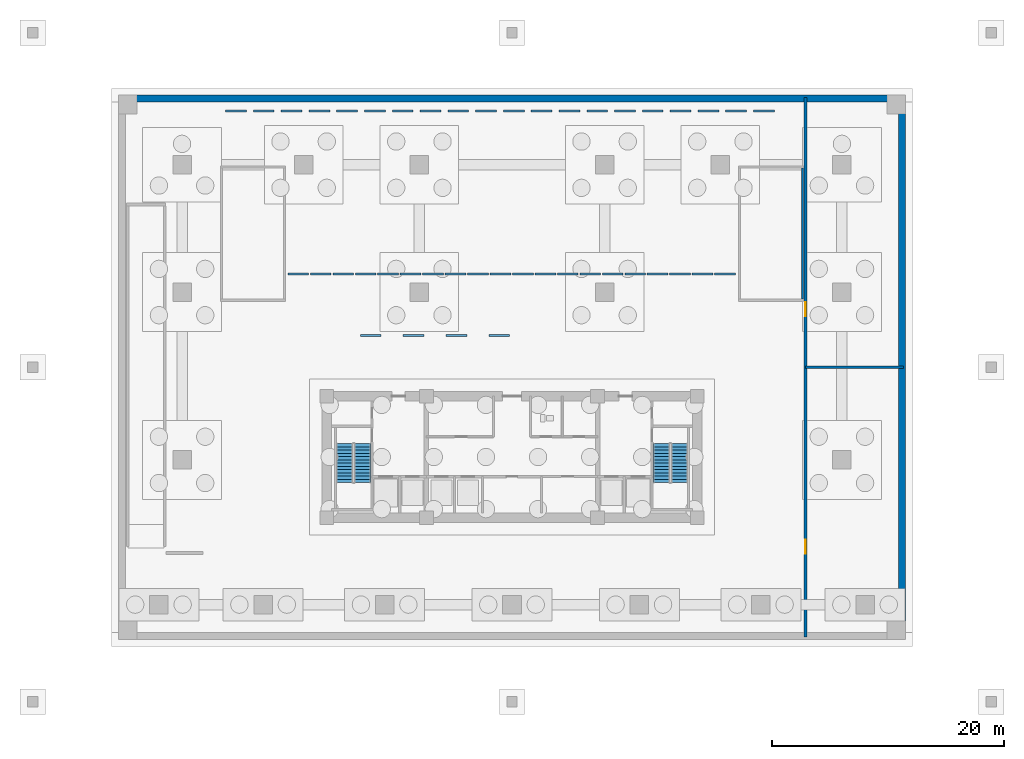
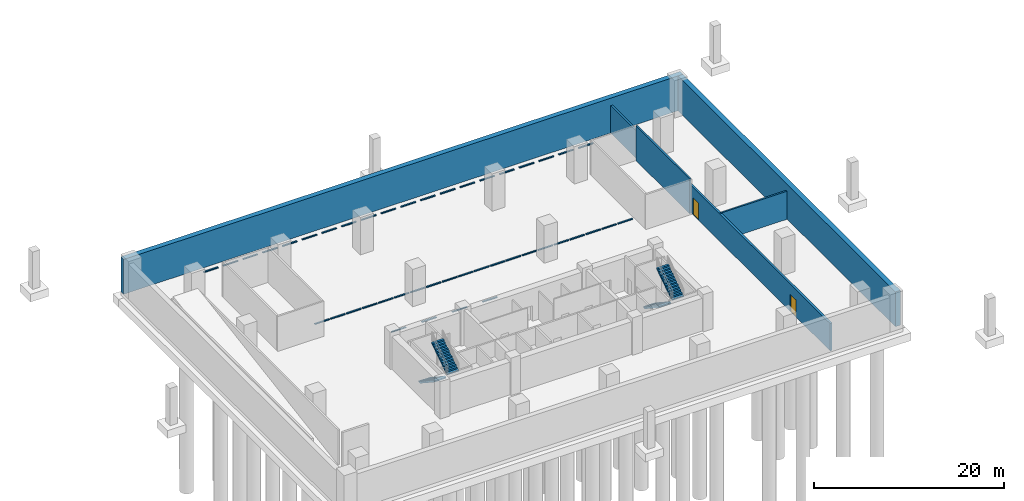
# One storey, part 5 of 8: 44 discrete accessories, 5 walls, 4 stair flights, 2 doors, 2 openings, 2 elements without a shape of their own.
"""IFC4 building model written with IfcOpenShell, lengths in metres."""

from ifc_helpers import new_model, si_unit, direction, frame, frame_2d, origin, origin_2d, place, context, subcontext, project, spatial, polyline, rectangle, outline, extrude, material, layer, layer_set, type_object, element, fill, aggregate, save


model = new_model("IFC4")

# Units and contexts
model_context = context("Model", 3, precision=1e-05, world=origin(), true_north=direction((0.0, 1.0)))
body_context = subcontext(model_context, "Body", "Model", "MODEL_VIEW")
ifc_project = project(units=[si_unit("LENGTHUNIT", "METRE"), si_unit("AREAUNIT", "SQUARE_METRE"), si_unit("VOLUMEUNIT", "CUBIC_METRE"), si_unit("PLANEANGLEUNIT", "RADIAN"), si_unit("MASSUNIT", "GRAM", prefix="KILO")], contexts=[model_context])

# Site, building, storey
site_placement = place(None, origin())
site = spatial("IfcSite", under=ifc_project, at=site_placement, CompositionType="ELEMENT")
building_placement = place(site_placement, origin())
building = spatial("IfcBuilding", under=site, at=building_placement, Name="Solmavex Isthmus Hotel", CompositionType="ELEMENT")
storey_placement = place(building_placement, frame((0.0, 0.0, -10.0)))
storey = spatial("IfcBuildingStorey", under=building, at=storey_placement, Name="B02", CompositionType="ELEMENT", Elevation=-10.0)

# Wall, openings, doors
ifc_material_1 = material(Name="Concrete C40/50", Category="concrete")
ifc_layer_1 = layer(ifc_material_1, 0.25)
ifc_layer_set_1 = layer_set([ifc_layer_1], Name="Concrete C40/50")
wall_type_1 = type_object("IfcWallType", Name="IW-PLANT-250", PredefinedType="PARTITIONING", material=ifc_layer_set_1)
wall_1_placement = place(storey_placement, frame((25.35009765625, -23.300048828125, 0.0), z_axis=(0.0, 0.0, 1.0), x_axis=(0.0, 1.0, 0.0)))
wall_1 = element("IfcWall", 1, at=wall_1_placement, inside=storey, type_object=wall_type_1, Name="Interior Partition Wall W-B02-CIST", PredefinedType="PARTITIONING", context=body_context, shape_type="SweptSolid", body=[
    extrude(rectangle(XDim=46.60009765625, YDim=0.25, at=frame_2d((23.300048828125, 0.0))), origin(), (0.0, 0.0, 1.0), 3.522216796875),
])
opening_1_placement = place(wall_1_placement, frame((7.199951171875, 0.0, 0.0)))
opening_1 = element("IfcOpeningElement", 2, at=opening_1_placement, cuts=wall_1, Name="Opening ID-F120", PredefinedType="OPENING", context=body_context, shape_type="SweptSolid", body=[
    extrude(rectangle(XDim=1.199951171875, YDim=2.199951171875, at=frame_2d((0.60009765625, 1.10009765625))), frame((0.0, 0.135009765625, 0.0), z_axis=(0.0, -1.0, 0.0), x_axis=(1.0, 0.0, 0.0)), (0.0, 0.0, 1.0), 0.27001953125),
])
opening_2_placement = place(wall_1_placement, frame((27.699951171875, 0.0, 0.0)))
opening_2 = element("IfcOpeningElement", 3, at=opening_2_placement, cuts=wall_1, Name="Opening ID-F120", PredefinedType="OPENING", context=body_context, shape_type="SweptSolid", body=[
    extrude(rectangle(XDim=1.199951171875, YDim=2.199951171875, at=frame_2d((0.60009765625, 1.10009765625))), frame((0.0, 0.135009765625, 0.0), z_axis=(0.0, -1.0, 0.0), x_axis=(1.0, 0.0, 0.0)), (0.0, 0.0, 1.0), 0.27001953125),
])
ifc_material_2 = material(Name="Steel ASTM A500 Grade C", Category="steel")
door_type = type_object("IfcDoorType", Name="IDR-FD90-1200", OperationType="NOTDEFINED", PredefinedType="DOOR", material=ifc_material_2)
door_1_placement = place(opening_1_placement, origin())
door_1 = element("IfcDoor", 4, at=door_1_placement, inside=storey, type_object=door_type, Name="Pump Room Fire Door B02", OperationType="DOUBLE_DOOR_SINGLE_SWING", OverallHeight=2.199951171875, OverallWidth=1.199951171875, PredefinedType="DOOR", context=body_context, shape_type="SweptSolid", body=[
    extrude(rectangle(XDim=1.199951171875, YDim=2.199951171875, at=frame_2d((0.60009765625, 1.10009765625))), frame((0.0, 0.02490234375, 0.0), z_axis=(0.0, -1.0, 0.0), x_axis=(1.0, 0.0, 0.0)), (0.0, 0.0, 1.0), 0.050048828125),
])
fill(opening_1, door_1)
door_2_placement = place(opening_2_placement, origin())
door_2 = element("IfcDoor", 5, at=door_2_placement, inside=storey, type_object=door_type, Name="Switchgear Fire Door B02", OperationType="DOUBLE_DOOR_SINGLE_SWING", OverallHeight=2.199951171875, OverallWidth=1.199951171875, PredefinedType="DOOR", context=body_context, shape_type="SweptSolid", body=[
    extrude(rectangle(XDim=1.199951171875, YDim=2.199951171875, at=frame_2d((0.60009765625, 1.10009765625))), frame((0.0, 0.02490234375, 0.0), z_axis=(0.0, -1.0, 0.0), x_axis=(1.0, 0.0, 0.0)), (0.0, 0.0, 1.0), 0.050048828125),
])
fill(opening_2, door_2)

# Walls
ifc_layer_2 = layer(ifc_material_1, 0.199951171875)
ifc_layer_set_2 = layer_set([ifc_layer_2], Name="Concrete C40/50")
wall_type_2 = type_object("IfcWallType", Name="IW-SHAFT-200", PredefinedType="PARTITIONING", material=ifc_layer_set_2)
wall_2_placement = place(storey_placement, frame((25.35009765625, 0.0, 0.0), z_axis=(0.0, 0.0, 1.0), x_axis=(1.0, 0.0, 0.0)))
element("IfcWall", 6, at=wall_2_placement, inside=storey, type_object=wall_type_2, Name="Interior Partition Wall W-B02-CIST-M", PredefinedType="PARTITIONING", context=body_context, shape_type="SweptSolid", body=[
    extrude(rectangle(XDim=8.449951171875, YDim=0.199951171875, at=frame_2d((4.22509765625, 0.0))), origin(), (0.0, 0.0, 1.0), 3.609619140625),
])
ifc_material_3 = material(Name="Concrete C50/60", Category="concrete")
ifc_layer_3 = layer(ifc_material_3, 0.60009765625)
ifc_layer_set_3 = layer_set([ifc_layer_3], Name="Concrete C50/60")
wall_type_3 = type_object("IfcWallType", Name="WALL-RET-600", PredefinedType="SOLIDWALL", material=ifc_layer_set_3)
wall_3_placement = place(storey_placement, frame((-34.0, 23.199951171875, 0.0), z_axis=(0.0, 0.0, 1.0), x_axis=(1.0, 0.0, 0.0)))
element("IfcWall", 7, at=wall_3_placement, inside=storey, type_object=wall_type_3, Name="Basement Retaining Wall North B02", PredefinedType="SOLIDWALL", context=body_context, shape_type="SweptSolid", body=[
    extrude(rectangle(XDim=68.0, YDim=0.60009765625, at=frame_2d((34.0, 0.0))), origin(), (0.0, 0.0, 1.0), 4.47998046875),
])
wall_4_placement = place(storey_placement, frame((33.699951171875, -22.89990234375, 0.0), z_axis=(0.0, 0.0, 1.0), x_axis=(0.0, 1.0, 0.0)))
element("IfcWall", 8, at=wall_4_placement, inside=storey, type_object=wall_type_3, Name="Basement Retaining Wall East B02", PredefinedType="SOLIDWALL", context=body_context, shape_type="SweptSolid", body=[
    extrude(rectangle(XDim=45.7998046875, YDim=0.60009765625, at=frame_2d((22.89990234375, 0.0))), origin(), (0.0, 0.0, 1.0), 4.47998046875),
])
ifc_layer_4 = layer(ifc_material_1, 0.199951171875)
ifc_layer_set_4 = layer_set([ifc_layer_4], Name="Concrete C40/50")
wall_type_4 = type_object("IfcWallType", Name="WALL-SW-200", PredefinedType="SOLIDWALL", material=ifc_layer_set_4)
wall_5_placement = place(storey_placement, frame((25.10009765625, 5.89990234375, 0.0), z_axis=(0.0, 0.0, 1.0), x_axis=(0.0, 1.0, 0.0)))
element("IfcWall", 9, at=wall_5_placement, inside=storey, type_object=wall_type_4, Name="Stairwell Structural Wall SW-B02-ST3-E", PredefinedType="SOLIDWALL", context=body_context, shape_type="SweptSolid", body=[
    extrude(rectangle(XDim=11.300048828125, YDim=0.199951171875, at=frame_2d((5.64990234375, 0.0))), origin(), (0.0, 0.0, 1.0), 4.47998046875),
])

# Stair, stair flights
stair_type_1 = type_object("IfcStairType", Name="STR-ST-1", PredefinedType="HALF_TURN_STAIR", material=ifc_material_1)
stair_1_placement = place(storey_placement, origin())
stair_1 = element("IfcStair", 10, at=stair_1_placement, inside=storey, type_object=stair_type_1, Name="B02 Protected Exit Stair ST-1", PredefinedType="HALF_TURN_STAIR")
stair_flight_type_1 = type_object("IfcStairFlightType", Name="SFL-ST-1", PredefinedType="STRAIGHT", material=ifc_material_1)
stair_flight_1_placement = place(storey_placement, frame((-14.449951171875, -6.60009765625, 0.0), z_axis=(0.0, 0.0, 1.0), x_axis=(0.0, -1.0, 0.0)))
stair_flight_1 = element("IfcStairFlight", 11, at=stair_flight_1_placement, type_object=stair_flight_type_1, Name="ST-1 flight 1", NumberOfRisers=13, NumberOfTreads=12, PredefinedType="STRAIGHT", RiserHeight=0.184615385, TreadLength=0.28, context=body_context, shape_type="SweptSolid", body=[
    extrude(outline(polyline([(0.0, 0.0), (0.0, 0.1845703125), (0.280029296875, 0.1845703125), (0.280029296875, 0.369140625), (0.56005859375, 0.369140625), (0.56005859375, 0.553955078125), (0.840087890625, 0.553955078125), (0.840087890625, 0.738525390625), (1.1201171875, 0.738525390625), (1.1201171875, 0.923095703125), (1.39990234375, 0.923095703125), (1.39990234375, 1.107666015625), (1.679931640625, 1.107666015625), (1.679931640625, 1.292236328125), (1.9599609375, 1.292236328125), (1.9599609375, 1.476806640625), (2.239990234375, 1.476806640625), (2.239990234375, 1.66162109375), (2.52001953125, 1.66162109375), (2.52001953125, 1.84619140625), (2.800048828125, 1.84619140625), (2.800048828125, 2.03076171875), (3.080078125, 2.03076171875), (3.080078125, 2.21533203125), (3.360107421875, 2.21533203125), (3.360107421875, 2.39990234375), (3.360107421875, 2.035888671875), (0.272216796875, 0.0), (0.0, 0.0)])), frame((0.0, 0.699951171875, 0.0), z_axis=(0.0, -1.0, 0.0), x_axis=(1.0, 0.0, 0.0)), (0.0, 0.0, 1.0), 1.39990234375),
])
stair_flight_2_placement = place(storey_placement, frame((-12.89990234375, -9.9599609375, 2.39990234375), z_axis=(0.0, 0.0, 1.0), x_axis=(0.0, 1.0, 0.0)))
stair_flight_2 = element("IfcStairFlight", 12, at=stair_flight_2_placement, type_object=stair_flight_type_1, Name="ST-1 flight 2", NumberOfRisers=13, NumberOfTreads=12, PredefinedType="STRAIGHT", RiserHeight=0.184615385, TreadLength=0.28, context=body_context, shape_type="SweptSolid", body=[
    extrude(outline(polyline([(0.0, 0.0), (0.0, 0.1845703125), (0.280029296875, 0.1845703125), (0.280029296875, 0.369140625), (0.56005859375, 0.369140625), (0.56005859375, 0.553955078125), (0.840087890625, 0.553955078125), (0.840087890625, 0.738525390625), (1.1201171875, 0.738525390625), (1.1201171875, 0.923095703125), (1.39990234375, 0.923095703125), (1.39990234375, 1.107666015625), (1.679931640625, 1.107666015625), (1.679931640625, 1.292236328125), (1.9599609375, 1.292236328125), (1.9599609375, 1.476806640625), (2.239990234375, 1.476806640625), (2.239990234375, 1.66162109375), (2.52001953125, 1.66162109375), (2.52001953125, 1.84619140625), (2.800048828125, 1.84619140625), (2.800048828125, 2.03076171875), (3.080078125, 2.03076171875), (3.080078125, 2.21533203125), (3.360107421875, 2.21533203125), (3.360107421875, 2.39990234375), (3.360107421875, 2.035888671875), (0.272216796875, 0.0), (0.0, 0.0)])), frame((0.0, 0.699951171875, 0.0), z_axis=(0.0, -1.0, 0.0), x_axis=(1.0, 0.0, 0.0)), (0.0, 0.0, 1.0), 1.39990234375),
])
aggregate(stair_1, [stair_flight_1, stair_flight_2])

stair_type_2 = type_object("IfcStairType", Name="STR-ST-2", PredefinedType="HALF_TURN_STAIR", material=ifc_material_1)
stair_2_placement = place(storey_placement, origin())
stair_2 = element("IfcStair", 13, at=stair_2_placement, inside=storey, type_object=stair_type_2, Name="B02 Protected Exit Stair ST-2", PredefinedType="HALF_TURN_STAIR")
stair_flight_type_2 = type_object("IfcStairFlightType", Name="SFL-ST-2", PredefinedType="STRAIGHT", material=ifc_material_1)
stair_flight_3_placement = place(storey_placement, frame((12.89990234375, -6.60009765625, 0.0), z_axis=(0.0, 0.0, 1.0), x_axis=(0.0, -1.0, 0.0)))
stair_flight_3 = element("IfcStairFlight", 14, at=stair_flight_3_placement, type_object=stair_flight_type_2, Name="ST-2 flight 1", NumberOfRisers=13, NumberOfTreads=12, PredefinedType="STRAIGHT", RiserHeight=0.184615385, TreadLength=0.28, context=body_context, shape_type="SweptSolid", body=[
    extrude(outline(polyline([(0.0, 0.0), (0.0, 0.1845703125), (0.280029296875, 0.1845703125), (0.280029296875, 0.369140625), (0.56005859375, 0.369140625), (0.56005859375, 0.553955078125), (0.840087890625, 0.553955078125), (0.840087890625, 0.738525390625), (1.1201171875, 0.738525390625), (1.1201171875, 0.923095703125), (1.39990234375, 0.923095703125), (1.39990234375, 1.107666015625), (1.679931640625, 1.107666015625), (1.679931640625, 1.292236328125), (1.9599609375, 1.292236328125), (1.9599609375, 1.476806640625), (2.239990234375, 1.476806640625), (2.239990234375, 1.66162109375), (2.52001953125, 1.66162109375), (2.52001953125, 1.84619140625), (2.800048828125, 1.84619140625), (2.800048828125, 2.03076171875), (3.080078125, 2.03076171875), (3.080078125, 2.21533203125), (3.360107421875, 2.21533203125), (3.360107421875, 2.39990234375), (3.360107421875, 2.035888671875), (0.272216796875, 0.0), (0.0, 0.0)])), frame((0.0, 0.699951171875, 0.0), z_axis=(0.0, -1.0, 0.0), x_axis=(1.0, 0.0, 0.0)), (0.0, 0.0, 1.0), 1.39990234375),
])
stair_flight_4_placement = place(storey_placement, frame((14.449951171875, -9.9599609375, 2.39990234375), z_axis=(0.0, 0.0, 1.0), x_axis=(0.0, 1.0, 0.0)))
stair_flight_4 = element("IfcStairFlight", 15, at=stair_flight_4_placement, type_object=stair_flight_type_2, Name="ST-2 flight 2", NumberOfRisers=13, NumberOfTreads=12, PredefinedType="STRAIGHT", RiserHeight=0.184615385, TreadLength=0.28, context=body_context, shape_type="SweptSolid", body=[
    extrude(outline(polyline([(0.0, 0.0), (0.0, 0.1845703125), (0.280029296875, 0.1845703125), (0.280029296875, 0.369140625), (0.56005859375, 0.369140625), (0.56005859375, 0.553955078125), (0.840087890625, 0.553955078125), (0.840087890625, 0.738525390625), (1.1201171875, 0.738525390625), (1.1201171875, 0.923095703125), (1.39990234375, 0.923095703125), (1.39990234375, 1.107666015625), (1.679931640625, 1.107666015625), (1.679931640625, 1.292236328125), (1.9599609375, 1.292236328125), (1.9599609375, 1.476806640625), (2.239990234375, 1.476806640625), (2.239990234375, 1.66162109375), (2.52001953125, 1.66162109375), (2.52001953125, 1.84619140625), (2.800048828125, 1.84619140625), (2.800048828125, 2.03076171875), (3.080078125, 2.03076171875), (3.080078125, 2.21533203125), (3.360107421875, 2.21533203125), (3.360107421875, 2.39990234375), (3.360107421875, 2.035888671875), (0.272216796875, 0.0), (0.0, 0.0)])), frame((0.0, 0.699951171875, 0.0), z_axis=(0.0, -1.0, 0.0), x_axis=(1.0, 0.0, 0.0)), (0.0, 0.0, 1.0), 1.39990234375),
])
aggregate(stair_2, [stair_flight_3, stair_flight_4])

# Discrete accessories
ifc_material_4 = material(Name="Precast Concrete C40/50", Category="concrete")
discrete_accessory_type = type_object("IfcDiscreteAccessoryType", Name="ACC-PARK-STOP", PredefinedType="USERDEFINED", material=ifc_material_4)
for number, where, z_axis, x_axis, name in (
    (16, (-12.199951171875, 2.75, 0.0), (0.0, 0.0, 1.0), (1.0, 0.0, 0.0), "Accessible Parking Bay Wheel Stop AP-01"),
    (17, (-8.5, 2.75, 0.0), (0.0, 0.0, 1.0), (1.0, 0.0, 0.0), "Accessible Parking Bay Wheel Stop AP-02"),
    (18, (-4.800048828125, 2.75, 0.0), (0.0, 0.0, 1.0), (1.0, 0.0, 0.0), "Accessible Parking Bay Wheel Stop AP-03"),
    (19, (-1.10009765625, 2.75, 0.0), (0.0, 0.0, 1.0), (1.0, 0.0, 0.0), "Accessible Parking Bay Wheel Stop AP-04"),
    (20, (-23.840087890625, 22.14990234375, 0.0), (0.0, 0.0, 1.0), (1.0, 0.0, 0.0), "Parking Bay Wheel Stop P-01"),
    (21, (-18.4599609375, 8.050048828125, 0.0), (0.0, 0.0, 1.0), (1.0, 0.0, 0.0), "Parking Bay Wheel Stop P-21"),
    (22, (-21.43994140625, 22.14990234375, 0.0), (0.0, 0.0, 1.0), (1.0, 0.0, 0.0), "Parking Bay Wheel Stop P-02"),
    (23, (-16.52001953125, 8.050048828125, 0.0), (0.0, 0.0, 1.0), (1.0, 0.0, 0.0), "Parking Bay Wheel Stop P-22"),
    (24, (-19.0400390625, 22.14990234375, 0.0), (0.0, 0.0, 1.0), (1.0, 0.0, 0.0), "Parking Bay Wheel Stop P-03"),
    (25, (-14.580078125, 8.050048828125, 0.0), (0.0, 0.0, 1.0), (1.0, 0.0, 0.0), "Parking Bay Wheel Stop P-23"),
    (26, (-16.639892578125, 22.14990234375, 0.0), (0.0, 0.0, 1.0), (1.0, 0.0, 0.0), "Parking Bay Wheel Stop P-04"),
    (27, (-12.639892578125, 8.050048828125, 0.0), (0.0, 0.0, 1.0), (1.0, 0.0, 0.0), "Parking Bay Wheel Stop P-24"),
    (28, (-14.239990234375, 22.14990234375, 0.0), (0.0, 0.0, 1.0), (1.0, 0.0, 0.0), "Parking Bay Wheel Stop P-05"),
    (29, (-10.699951171875, 8.050048828125, 0.0), (0.0, 0.0, 1.0), (1.0, 0.0, 0.0), "Parking Bay Wheel Stop P-25"),
    (30, (-11.840087890625, 22.14990234375, 0.0), (0.0, 0.0, 1.0), (1.0, 0.0, 0.0), "Parking Bay Wheel Stop P-06"),
    (31, (-8.760009765625, 8.050048828125, 0.0), (0.0, 0.0, 1.0), (1.0, 0.0, 0.0), "Parking Bay Wheel Stop P-26"),
    (32, (-9.43994140625, 22.14990234375, 0.0), (0.0, 0.0, 1.0), (1.0, 0.0, 0.0), "Parking Bay Wheel Stop P-07"),
    (33, (-6.820068359375, 8.050048828125, 0.0), (0.0, 0.0, 1.0), (1.0, 0.0, 0.0), "Parking Bay Wheel Stop P-27"),
    (34, (-7.0400390625, 22.14990234375, 0.0), (0.0, 0.0, 1.0), (1.0, 0.0, 0.0), "Parking Bay Wheel Stop P-08"),
    (35, (-4.8798828125, 8.050048828125, 0.0), (0.0, 0.0, 1.0), (1.0, 0.0, 0.0), "Parking Bay Wheel Stop P-28"),
    (36, (-4.639892578125, 22.14990234375, 0.0), (0.0, 0.0, 1.0), (1.0, 0.0, 0.0), "Parking Bay Wheel Stop P-09"),
    (37, (-2.93994140625, 8.050048828125, 0.0), (0.0, 0.0, 1.0), (1.0, 0.0, 0.0), "Parking Bay Wheel Stop P-29"),
    (38, (-2.239990234375, 22.14990234375, 0.0), (0.0, 0.0, 1.0), (1.0, 0.0, 0.0), "Parking Bay Wheel Stop P-10"),
    (39, (-1.0, 8.050048828125, 0.0), (0.0, 0.0, 1.0), (1.0, 0.0, 0.0), "Parking Bay Wheel Stop P-30"),
    (40, (0.159912109375, 22.14990234375, 0.0), (0.0, 0.0, 1.0), (1.0, 0.0, 0.0), "Parking Bay Wheel Stop P-11"),
    (41, (0.93994140625, 8.050048828125, 0.0), (0.0, 0.0, 1.0), (1.0, 0.0, 0.0), "Parking Bay Wheel Stop P-31"),
    (42, (2.56005859375, 22.14990234375, 0.0), (0.0, 0.0, 1.0), (1.0, 0.0, 0.0), "Parking Bay Wheel Stop P-12"),
    (43, (2.8798828125, 8.050048828125, 0.0), (0.0, 0.0, 1.0), (1.0, 0.0, 0.0), "Parking Bay Wheel Stop P-32"),
    (44, (4.9599609375, 22.14990234375, 0.0), (0.0, 0.0, 1.0), (1.0, 0.0, 0.0), "Parking Bay Wheel Stop P-13"),
    (45, (4.820068359375, 8.050048828125, 0.0), (0.0, 0.0, 1.0), (1.0, 0.0, 0.0), "Parking Bay Wheel Stop P-33"),
    (46, (7.360107421875, 22.14990234375, 0.0), (0.0, 0.0, 1.0), (1.0, 0.0, 0.0), "Parking Bay Wheel Stop P-14"),
    (47, (6.760009765625, 8.050048828125, 0.0), (0.0, 0.0, 1.0), (1.0, 0.0, 0.0), "Parking Bay Wheel Stop P-34"),
    (48, (9.760009765625, 22.14990234375, 0.0), (0.0, 0.0, 1.0), (1.0, 0.0, 0.0), "Parking Bay Wheel Stop P-15"),
    (49, (8.699951171875, 8.050048828125, 0.0), (0.0, 0.0, 1.0), (1.0, 0.0, 0.0), "Parking Bay Wheel Stop P-35"),
    (50, (12.159912109375, 22.14990234375, 0.0), (0.0, 0.0, 1.0), (1.0, 0.0, 0.0), "Parking Bay Wheel Stop P-16"),
    (51, (10.639892578125, 8.050048828125, 0.0), (0.0, 0.0, 1.0), (1.0, 0.0, 0.0), "Parking Bay Wheel Stop P-36"),
    (52, (14.56005859375, 22.14990234375, 0.0), (0.0, 0.0, 1.0), (1.0, 0.0, 0.0), "Parking Bay Wheel Stop P-17"),
    (53, (12.580078125, 8.050048828125, 0.0), (0.0, 0.0, 1.0), (1.0, 0.0, 0.0), "Parking Bay Wheel Stop P-37"),
    (54, (16.9599609375, 22.14990234375, 0.0), (0.0, 0.0, 1.0), (1.0, 0.0, 0.0), "Parking Bay Wheel Stop P-18"),
    (55, (14.52001953125, 8.050048828125, 0.0), (0.0, 0.0, 1.0), (1.0, 0.0, 0.0), "Parking Bay Wheel Stop P-38"),
    (56, (19.360107421875, 22.14990234375, 0.0), (0.0, 0.0, 1.0), (1.0, 0.0, 0.0), "Parking Bay Wheel Stop P-19"),
    (57, (16.4599609375, 8.050048828125, 0.0), (0.0, 0.0, 1.0), (1.0, 0.0, 0.0), "Parking Bay Wheel Stop P-39"),
    (58, (21.760009765625, 22.14990234375, 0.0), (0.0, 0.0, 1.0), (1.0, 0.0, 0.0), "Parking Bay Wheel Stop P-20"),
    (59, (18.39990234375, 8.050048828125, 0.0), (0.0, 0.0, 1.0), (1.0, 0.0, 0.0), "Parking Bay Wheel Stop P-40"),
):
    element("IfcDiscreteAccessory", number, at=place(storey_placement, frame(where, z_axis=z_axis, x_axis=x_axis)), inside=storey, type_object=discrete_accessory_type, Name=name, ObjectType="PARKING_WHEEL_STOP", PredefinedType="USERDEFINED", context=body_context, shape_type="SweptSolid", body=[
        extrude(rectangle(XDim=1.800048828125, YDim=0.179931640625, at=origin_2d()), origin(), (0.0, 0.0, 1.0), 0.1201171875),
    ])

save(model, "model.ifc")
